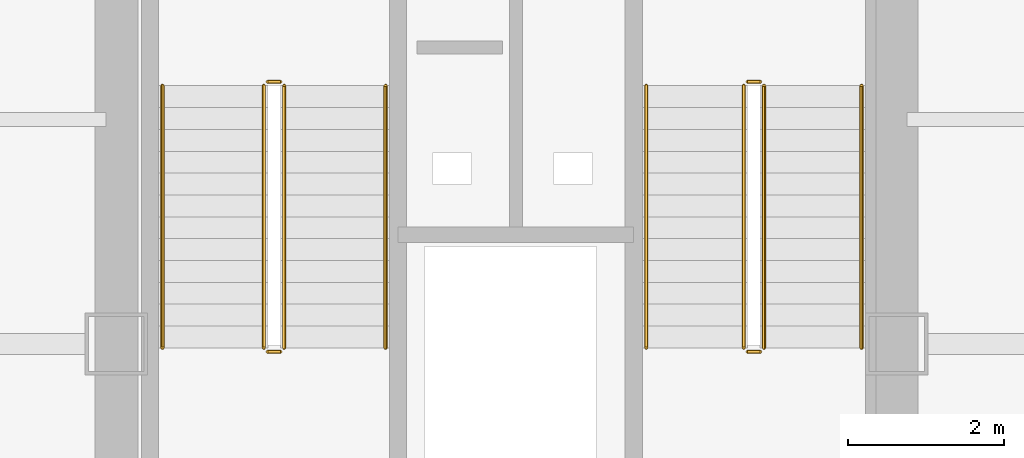
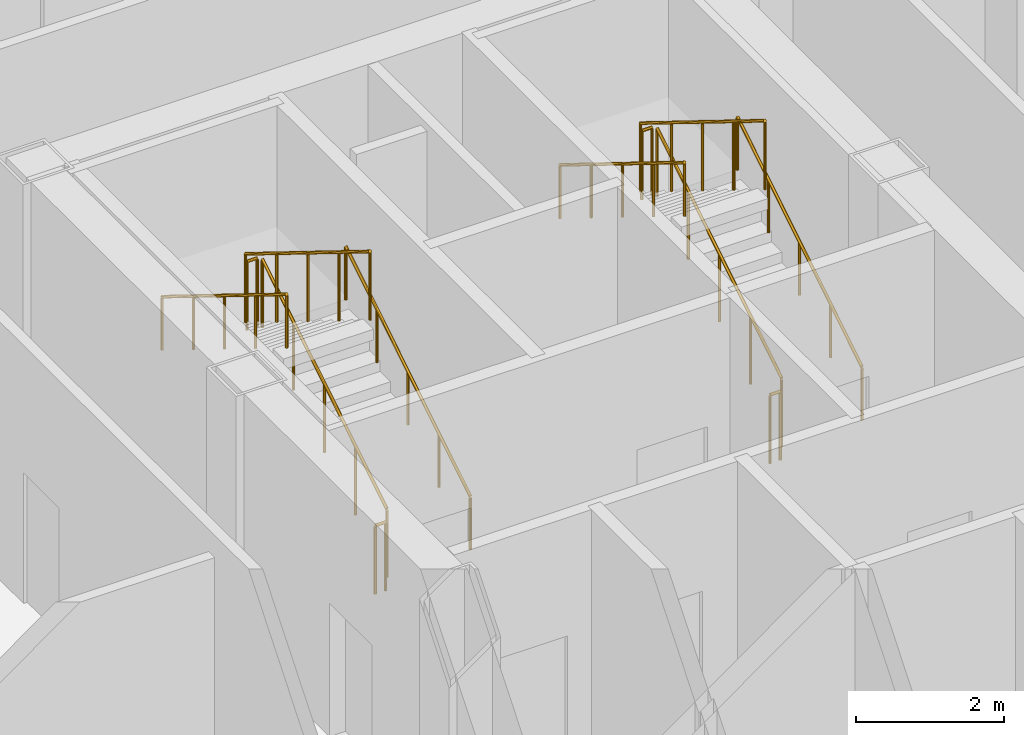
# One storey, part 20 of 21: 12 railings.
"""IFC4 building model written with IfcOpenShell, lengths in metres."""

from ifc_helpers import new_model, si_unit, direction, frame, origin, origin_2d, place, context, subcontext, project, spatial, circle, extrude, material, type_object, element, save


model = new_model("IFC4")

# Units and contexts
model_context = context("Model", 3, precision=1e-05, world=origin(), true_north=direction((0.0, 1.0)))
body_context = subcontext(model_context, "Body", "Model", "MODEL_VIEW")
ifc_project = project(units=[si_unit("LENGTHUNIT", "METRE"), si_unit("AREAUNIT", "SQUARE_METRE"), si_unit("VOLUMEUNIT", "CUBIC_METRE"), si_unit("PLANEANGLEUNIT", "RADIAN"), si_unit("MASSUNIT", "GRAM", prefix="KILO")], contexts=[model_context])

# Site, building, storey
site_placement = place(None, origin())
site = spatial("IfcSite", under=ifc_project, at=site_placement, CompositionType="ELEMENT")
building_placement = place(site_placement, origin())
building = spatial("IfcBuilding", under=site, at=building_placement, Name="Kolveth Station Tower", CompositionType="ELEMENT")
storey_placement = place(building_placement, frame((0.0, 0.0, 88.199951171875)))
storey = spatial("IfcBuildingStorey", under=building, at=storey_placement, Name="L23", CompositionType="ELEMENT", Elevation=88.199951171875)

# Railings
ifc_material_1 = material(Name="Painted Steel S355 balustrade", Category="steel")
railing_type_1 = type_object("IfcRailingType", Name="Guard_GR2", PredefinedType="BALUSTRADE", material=ifc_material_1)
railing_1_placement = place(storey_placement, frame((20.64990234375, 22.949951171875, 0.173095703125)))
element("IfcRailing", 1, at=railing_1_placement, inside=storey, type_object=railing_type_1, Name="L23 ST1 stair guard 1", PredefinedType="BALUSTRADE", context=body_context, shape_type="SweptSolid", body=[
    extrude(circle(Radius=0.02392578125, at=origin_2d()), frame((0.0, 0.0, 1.1259765625), z_axis=(0.0, 0.850623216509, 0.525775754039), x_axis=(-1.0, 0.0, 0.0)), (0.0, 0.0, 1.0), 3.9501953125),
    extrude(circle(Radius=0.02099609375, at=origin_2d()), origin(), (0.0, 0.0, 1.0), 1.101806640625),
    extrude(circle(Radius=0.02099609375, at=origin_2d()), frame((0.0, 0.840087890625, 0.519287109375)), (0.0, 0.0, 1.0), 1.101806640625),
    extrude(circle(Radius=0.02099609375, at=origin_2d()), frame((0.0, 1.68017578125, 1.03857421875)), (0.0, 0.0, 1.0), 1.101806640625),
    extrude(circle(Radius=0.02099609375, at=origin_2d()), frame((0.0, 2.52001953125, 1.5576171875)), (0.0, 0.0, 1.0), 1.101806640625),
    extrude(circle(Radius=0.02099609375, at=origin_2d()), frame((0.0, 3.360107421875, 2.076904296875)), (0.0, 0.0, 1.0), 1.101806640625),
])
railing_2_placement = place(storey_placement, frame((20.60009765625, 26.360107421875, 2.25)))
element("IfcRailing", 2, at=railing_2_placement, inside=storey, type_object=railing_type_1, Name="L23 ST1 stair guard 2", PredefinedType="BALUSTRADE", context=body_context, shape_type="SweptSolid", body=[
    extrude(circle(Radius=0.02392578125, at=origin_2d()), frame((0.0, 0.0, 1.1259765625), z_axis=(-1.0, 0.0, 0.0), x_axis=(0.0, -1.0, 0.0)), (0.0, 0.0, 1.0), 0.16015625),
    extrude(circle(Radius=0.02099609375, at=origin_2d()), origin(), (0.0, 0.0, 1.0), 1.101806640625),
    extrude(circle(Radius=0.02099609375, at=origin_2d()), frame((-0.16015625, 0.0, 0.0)), (0.0, 0.0, 1.0), 1.101806640625),
])
railing_3_placement = place(storey_placement, frame((20.389892578125, 26.31005859375, 2.423095703125)))
element("IfcRailing", 3, at=railing_3_placement, inside=storey, type_object=railing_type_1, Name="L23 ST1 stair guard 3", PredefinedType="BALUSTRADE", context=body_context, shape_type="SweptSolid", body=[
    extrude(circle(Radius=0.02392578125, at=origin_2d()), frame((0.0, 0.0, 1.1259765625), z_axis=(0.0, -0.850623216509, 0.525775754039), x_axis=(1.0, 0.0, 0.0)), (0.0, 0.0, 1.0), 3.9501953125),
    extrude(circle(Radius=0.02099609375, at=origin_2d()), origin(), (0.0, 0.0, 1.0), 1.101806640625),
    extrude(circle(Radius=0.02099609375, at=origin_2d()), frame((0.0, -0.840087890625, 0.519287109375)), (0.0, 0.0, 1.0), 1.101806640625),
    extrude(circle(Radius=0.02099609375, at=origin_2d()), frame((0.0, -1.68017578125, 1.03857421875)), (0.0, 0.0, 1.0), 1.101806640625),
    extrude(circle(Radius=0.02099609375, at=origin_2d()), frame((0.0, -2.52001953125, 1.5576171875)), (0.0, 0.0, 1.0), 1.101806640625),
    extrude(circle(Radius=0.02099609375, at=origin_2d()), frame((0.0, -3.360107421875, 2.076904296875)), (0.0, 0.0, 1.0), 1.101806640625),
])
railing_4_placement = place(storey_placement, frame((20.60009765625, 22.89990234375, 0.0)))
element("IfcRailing", 4, at=railing_4_placement, inside=storey, type_object=railing_type_1, Name="L23 ST1 stair guard 4", PredefinedType="BALUSTRADE", context=body_context, shape_type="SweptSolid", body=[
    extrude(circle(Radius=0.02392578125, at=origin_2d()), frame((0.0, 0.0, 1.1259765625), z_axis=(-1.0, 0.0, 0.0), x_axis=(0.0, -1.0, 0.0)), (0.0, 0.0, 1.0), 0.16015625),
    extrude(circle(Radius=0.02099609375, at=origin_2d()), origin(), (0.0, 0.0, 1.0), 1.101806640625),
    extrude(circle(Radius=0.02099609375, at=origin_2d()), frame((-0.16015625, 0.0, 0.0)), (0.0, 0.0, 1.0), 1.101806640625),
])
railing_5_placement = place(storey_placement, frame((26.800048828125, 22.949951171875, 0.173095703125)))
element("IfcRailing", 5, at=railing_5_placement, inside=storey, type_object=railing_type_1, Name="L23 ST2 stair guard 1", PredefinedType="BALUSTRADE", context=body_context, shape_type="SweptSolid", body=[
    extrude(circle(Radius=0.02392578125, at=origin_2d()), frame((0.0, 0.0, 1.1259765625), z_axis=(0.0, 0.850623216509, 0.525775754039), x_axis=(-1.0, 0.0, 0.0)), (0.0, 0.0, 1.0), 3.9501953125),
    extrude(circle(Radius=0.02099609375, at=origin_2d()), origin(), (0.0, 0.0, 1.0), 1.101806640625),
    extrude(circle(Radius=0.02099609375, at=origin_2d()), frame((0.0, 0.840087890625, 0.519287109375)), (0.0, 0.0, 1.0), 1.101806640625),
    extrude(circle(Radius=0.02099609375, at=origin_2d()), frame((0.0, 1.68017578125, 1.03857421875)), (0.0, 0.0, 1.0), 1.101806640625),
    extrude(circle(Radius=0.02099609375, at=origin_2d()), frame((0.0, 2.52001953125, 1.5576171875)), (0.0, 0.0, 1.0), 1.101806640625),
    extrude(circle(Radius=0.02099609375, at=origin_2d()), frame((0.0, 3.360107421875, 2.076904296875)), (0.0, 0.0, 1.0), 1.101806640625),
])
railing_6_placement = place(storey_placement, frame((26.75, 26.360107421875, 2.25)))
element("IfcRailing", 6, at=railing_6_placement, inside=storey, type_object=railing_type_1, Name="L23 ST2 stair guard 2", PredefinedType="BALUSTRADE", context=body_context, shape_type="SweptSolid", body=[
    extrude(circle(Radius=0.02392578125, at=origin_2d()), frame((0.0, 0.0, 1.1259765625), z_axis=(-1.0, 0.0, 0.0), x_axis=(0.0, -1.0, 0.0)), (0.0, 0.0, 1.0), 0.159912109375),
    extrude(circle(Radius=0.02099609375, at=origin_2d()), origin(), (0.0, 0.0, 1.0), 1.101806640625),
    extrude(circle(Radius=0.02099609375, at=origin_2d()), frame((-0.159912109375, 0.0, 0.0)), (0.0, 0.0, 1.0), 1.101806640625),
])
railing_7_placement = place(storey_placement, frame((26.5400390625, 26.31005859375, 2.423095703125)))
element("IfcRailing", 7, at=railing_7_placement, inside=storey, type_object=railing_type_1, Name="L23 ST2 stair guard 3", PredefinedType="BALUSTRADE", context=body_context, shape_type="SweptSolid", body=[
    extrude(circle(Radius=0.02392578125, at=origin_2d()), frame((0.0, 0.0, 1.1259765625), z_axis=(0.0, -0.850623216509, 0.525775754039), x_axis=(1.0, 0.0, 0.0)), (0.0, 0.0, 1.0), 3.9501953125),
    extrude(circle(Radius=0.02099609375, at=origin_2d()), origin(), (0.0, 0.0, 1.0), 1.101806640625),
    extrude(circle(Radius=0.02099609375, at=origin_2d()), frame((0.0, -0.840087890625, 0.519287109375)), (0.0, 0.0, 1.0), 1.101806640625),
    extrude(circle(Radius=0.02099609375, at=origin_2d()), frame((0.0, -1.68017578125, 1.03857421875)), (0.0, 0.0, 1.0), 1.101806640625),
    extrude(circle(Radius=0.02099609375, at=origin_2d()), frame((0.0, -2.52001953125, 1.5576171875)), (0.0, 0.0, 1.0), 1.101806640625),
    extrude(circle(Radius=0.02099609375, at=origin_2d()), frame((0.0, -3.360107421875, 2.076904296875)), (0.0, 0.0, 1.0), 1.101806640625),
])
railing_8_placement = place(storey_placement, frame((26.75, 22.89990234375, 0.0)))
element("IfcRailing", 8, at=railing_8_placement, inside=storey, type_object=railing_type_1, Name="L23 ST2 stair guard 4", PredefinedType="BALUSTRADE", context=body_context, shape_type="SweptSolid", body=[
    extrude(circle(Radius=0.02392578125, at=origin_2d()), frame((0.0, 0.0, 1.1259765625), z_axis=(-1.0, 0.0, 0.0), x_axis=(0.0, -1.0, 0.0)), (0.0, 0.0, 1.0), 0.159912109375),
    extrude(circle(Radius=0.02099609375, at=origin_2d()), origin(), (0.0, 0.0, 1.0), 1.101806640625),
    extrude(circle(Radius=0.02099609375, at=origin_2d()), frame((-0.159912109375, 0.0, 0.0)), (0.0, 0.0, 1.0), 1.101806640625),
])
ifc_material_2 = material(Name="Brushed stainless steel", Category="steel")
railing_type_2 = type_object("IfcRailingType", Name="Handrail_HR1", PredefinedType="HANDRAIL", material=ifc_material_2)
railing_9_placement = place(storey_placement, frame((21.949951171875, 22.949951171875, 0.173095703125)))
element("IfcRailing", 9, at=railing_9_placement, inside=storey, type_object=railing_type_2, Name="L23 ST1 stair handrail 1", PredefinedType="HANDRAIL", context=body_context, shape_type="SweptSolid", body=[
    extrude(circle(Radius=0.02392578125, at=origin_2d()), frame((0.0, 0.0, 0.8759765625), z_axis=(0.0, 0.850623216509, 0.525775754039), x_axis=(-1.0, 0.0, 0.0)), (0.0, 0.0, 1.0), 3.9501953125),
    extrude(circle(Radius=0.02099609375, at=origin_2d()), origin(), (0.0, 0.0, 1.0), 0.851806640625),
    extrude(circle(Radius=0.02099609375, at=origin_2d()), frame((0.0, 0.840087890625, 0.519287109375)), (0.0, 0.0, 1.0), 0.851806640625),
    extrude(circle(Radius=0.02099609375, at=origin_2d()), frame((0.0, 1.68017578125, 1.03857421875)), (0.0, 0.0, 1.0), 0.851806640625),
    extrude(circle(Radius=0.02099609375, at=origin_2d()), frame((0.0, 2.52001953125, 1.5576171875)), (0.0, 0.0, 1.0), 0.851806640625),
    extrude(circle(Radius=0.02099609375, at=origin_2d()), frame((0.0, 3.360107421875, 2.076904296875)), (0.0, 0.0, 1.0), 0.851806640625),
])
railing_10_placement = place(storey_placement, frame((19.090087890625, 26.31005859375, 2.423095703125)))
element("IfcRailing", 10, at=railing_10_placement, inside=storey, type_object=railing_type_2, Name="L23 ST1 stair handrail 2", PredefinedType="HANDRAIL", context=body_context, shape_type="SweptSolid", body=[
    extrude(circle(Radius=0.02392578125, at=origin_2d()), frame((0.0, 0.0, 0.8759765625), z_axis=(0.0, -0.850623216509, 0.525775754039), x_axis=(1.0, 0.0, 0.0)), (0.0, 0.0, 1.0), 3.9501953125),
    extrude(circle(Radius=0.02099609375, at=origin_2d()), origin(), (0.0, 0.0, 1.0), 0.851806640625),
    extrude(circle(Radius=0.02099609375, at=origin_2d()), frame((0.0, -0.840087890625, 0.519287109375)), (0.0, 0.0, 1.0), 0.851806640625),
    extrude(circle(Radius=0.02099609375, at=origin_2d()), frame((0.0, -1.68017578125, 1.03857421875)), (0.0, 0.0, 1.0), 0.851806640625),
    extrude(circle(Radius=0.02099609375, at=origin_2d()), frame((0.0, -2.52001953125, 1.5576171875)), (0.0, 0.0, 1.0), 0.851806640625),
    extrude(circle(Radius=0.02099609375, at=origin_2d()), frame((0.0, -3.360107421875, 2.076904296875)), (0.0, 0.0, 1.0), 0.851806640625),
])
railing_11_placement = place(storey_placement, frame((28.050048828125, 22.949951171875, 0.173095703125)))
element("IfcRailing", 11, at=railing_11_placement, inside=storey, type_object=railing_type_2, Name="L23 ST2 stair handrail 1", PredefinedType="HANDRAIL", context=body_context, shape_type="SweptSolid", body=[
    extrude(circle(Radius=0.02392578125, at=origin_2d()), frame((0.0, 0.0, 0.8759765625), z_axis=(0.0, 0.850623216509, 0.525775754039), x_axis=(-1.0, 0.0, 0.0)), (0.0, 0.0, 1.0), 3.9501953125),
    extrude(circle(Radius=0.02099609375, at=origin_2d()), origin(), (0.0, 0.0, 1.0), 0.851806640625),
    extrude(circle(Radius=0.02099609375, at=origin_2d()), frame((0.0, 0.840087890625, 0.519287109375)), (0.0, 0.0, 1.0), 0.851806640625),
    extrude(circle(Radius=0.02099609375, at=origin_2d()), frame((0.0, 1.68017578125, 1.03857421875)), (0.0, 0.0, 1.0), 0.851806640625),
    extrude(circle(Radius=0.02099609375, at=origin_2d()), frame((0.0, 2.52001953125, 1.5576171875)), (0.0, 0.0, 1.0), 0.851806640625),
    extrude(circle(Radius=0.02099609375, at=origin_2d()), frame((0.0, 3.360107421875, 2.076904296875)), (0.0, 0.0, 1.0), 0.851806640625),
])
railing_12_placement = place(storey_placement, frame((25.2900390625, 26.31005859375, 2.423095703125)))
element("IfcRailing", 12, at=railing_12_placement, inside=storey, type_object=railing_type_2, Name="L23 ST2 stair handrail 2", PredefinedType="HANDRAIL", context=body_context, shape_type="SweptSolid", body=[
    extrude(circle(Radius=0.02392578125, at=origin_2d()), frame((0.0, 0.0, 0.8759765625), z_axis=(0.0, -0.850623216509, 0.525775754039), x_axis=(1.0, 0.0, 0.0)), (0.0, 0.0, 1.0), 3.9501953125),
    extrude(circle(Radius=0.02099609375, at=origin_2d()), origin(), (0.0, 0.0, 1.0), 0.851806640625),
    extrude(circle(Radius=0.02099609375, at=origin_2d()), frame((0.0, -0.840087890625, 0.519287109375)), (0.0, 0.0, 1.0), 0.851806640625),
    extrude(circle(Radius=0.02099609375, at=origin_2d()), frame((0.0, -1.68017578125, 1.03857421875)), (0.0, 0.0, 1.0), 0.851806640625),
    extrude(circle(Radius=0.02099609375, at=origin_2d()), frame((0.0, -2.52001953125, 1.5576171875)), (0.0, 0.0, 1.0), 0.851806640625),
    extrude(circle(Radius=0.02099609375, at=origin_2d()), frame((0.0, -3.360107421875, 2.076904296875)), (0.0, 0.0, 1.0), 0.851806640625),
])

save(model, "model.ifc")
